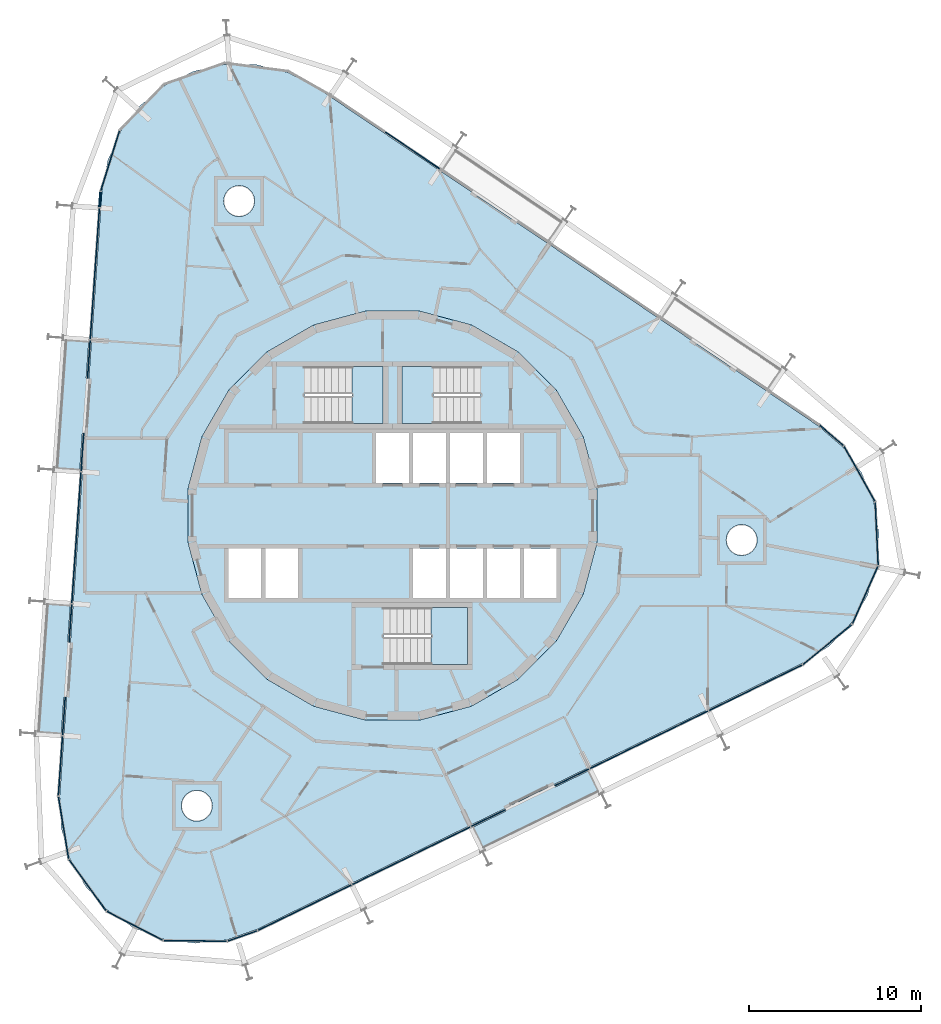
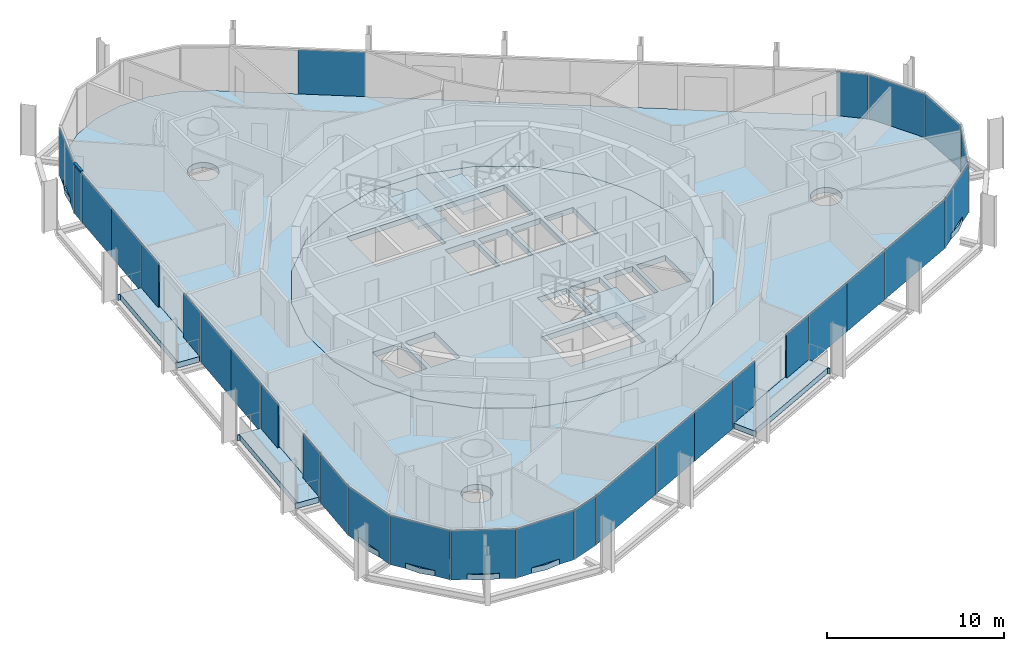
# One storey, part 10 of 17: 30 plates, 8 slabs, 1 member, 9 elements without a shape of their own.
"""IFC4 building model written with IfcOpenShell, lengths in metres."""

from ifc_helpers import new_model, si_unit, direction, frame, origin, origin_2d, place, context, subcontext, project, spatial, polyline, rectangle, outline, extrude, material, layer, layer_set, material_profile, profile_set, type_object, element, aggregate, save


model = new_model("IFC4")

# Units and contexts
model_context = context("Model", 3, precision=1e-05, world=origin(), true_north=direction((0.0, 1.0)))
body_context = subcontext(model_context, "Body", "Model", "MODEL_VIEW")
ifc_project = project(units=[si_unit("LENGTHUNIT", "METRE"), si_unit("AREAUNIT", "SQUARE_METRE"), si_unit("VOLUMEUNIT", "CUBIC_METRE"), si_unit("PLANEANGLEUNIT", "RADIAN"), si_unit("MASSUNIT", "GRAM", prefix="KILO")], contexts=[model_context])

# Site, building, storey
site_placement = place(None, origin())
site = spatial("IfcSite", under=ifc_project, at=site_placement, CompositionType="ELEMENT")
building_placement = place(site_placement, origin())
building = spatial("IfcBuilding", under=site, at=building_placement, Name="Spindle Arch Residences", CompositionType="ELEMENT")
storey_placement = place(building_placement, frame((0.0, 0.0, 212.89990234375)))
storey = spatial("IfcBuildingStorey", under=building, at=storey_placement, Name="L54", CompositionType="ELEMENT", Elevation=212.89990234375)

# Curtain wall, member
ifc_material_1 = material(Name="Aluminium bronze unitised frame with tinted glass", Category="aluminium")
ifc_layer_1 = layer(ifc_material_1, 0.159912109375)
ifc_layer_set_1 = layer_set([ifc_layer_1], Name="CW-D corner wall on the fillet arcs")
curtain_wall_type_1 = type_object("IfcCurtainWallType", Name="CW-D corner wall on the fillet arcs", PredefinedType="NOTDEFINED", material=ifc_layer_set_1)
curtain_wall_1_placement = place(storey_placement, origin())
curtain_wall_1 = element("IfcCurtainWall", 1, at=curtain_wall_1_placement, inside=storey, type_object=curtain_wall_type_1, Name="CW-D L54 run 3", PredefinedType="NOTDEFINED")
ifc_material_2 = material(Name="Aluminium bronze anodised transom", Category="aluminium")
ifc_material_profile = material_profile(ifc_material_2, rectangle(XDim=0.159912109375, YDim=0.1201171875, at=origin_2d()), Name="TR 120x160")
ifc_profile_set = profile_set([ifc_material_profile], Name="Aluminium bronze anodised transom")
member_type = type_object("IfcMemberType", Name="Bronze transom 120x160", PredefinedType="USERDEFINED", material=ifc_profile_set)
member_placement = place(storey_placement, frame((-16.98828125, 18.83447265625, 3.06005859375), z_axis=(-0.069692035463, -0.997568554132, 0.0), x_axis=(0.997568554132, -0.069692035463, 0.0)))
member = element("IfcMember", 2, at=member_placement, type_object=member_type, Name="CW-D transom 05", ObjectType="TRANSOM", PredefinedType="USERDEFINED", context=body_context, shape_type="SweptSolid", body=[
    extrude(rectangle(XDim=0.159912109375, YDim=0.1201171875, at=origin_2d()), origin(), (0.0, 0.0, 1.0), 0.90380859375),
])

# Slabs
ifc_material_3 = material(Name="Concrete C40/50", Category="concrete")
ifc_layer_2 = layer(ifc_material_3, 0.3798828125)
ifc_layer_set_2 = layer_set([ifc_layer_2], Name="Balcony slab 380")
slab_type_1 = type_object("IfcSlabType", Name="Balcony slab 380", PredefinedType="FLOOR", material=ifc_layer_set_2)
slab_1_placement = place(storey_placement, frame((0.0, 0.0, -0.3798828125)))
element("IfcSlab", 3, at=slab_1_placement, inside=storey, type_object=slab_type_1, Name="Balcony L54 bay 14", PredefinedType="FLOOR", context=body_context, shape_type="SweptSolid", body=[
    extrude(outline(polyline([(-19.16162109375, 10.2626953125), (-19.166748046875, 10.187744140625), (-19.01708984375, 10.17724609375), (-19.532958984375, 2.8017578125), (-19.6826171875, 2.81201171875), (-19.687744140625, 2.7373046875), (-18.201416015625, 2.63330078125), (-18.0498046875, 4.800048828125), (-17.890380859375, 4.788818359375), (-17.6669921875, 7.98095703125), (-17.82666015625, 7.9921875), (-17.67529296875, 10.15869140625), (-19.16162109375, 10.2626953125)])), origin(), (0.0, 0.0, 1.0), 0.3798828125),
])
slab_2_placement = place(storey_placement, frame((0.0, 0.0, -0.3798828125)))
element("IfcSlab", 4, at=slab_2_placement, inside=storey, type_object=slab_type_1, Name="Balcony L54 bay 16", PredefinedType="FLOOR", context=body_context, shape_type="SweptSolid", body=[
    extrude(outline(polyline([(-20.23486328125, -5.08740234375), (-20.240234375, -5.162109375), (-20.090576171875, -5.172607421875), (-20.606201171875, -12.54833984375), (-20.755859375, -12.537841796875), (-20.76123046875, -12.612548828125), (-19.274658203125, -12.716552734375), (-19.123291015625, -10.550048828125), (-18.963623046875, -10.561279296875), (-18.740478515625, -7.368896484375), (-18.900146484375, -7.35791015625), (-18.74853515625, -5.191162109375), (-20.23486328125, -5.08740234375)])), origin(), (0.0, 0.0, 1.0), 0.3798828125),
])
slab_3_placement = place(storey_placement, frame((0.0, 0.0, -0.3798828125)))
element("IfcSlab", 5, at=slab_3_placement, inside=storey, type_object=slab_type_1, Name="Balcony L54 bay 22", PredefinedType="FLOOR", context=body_context, shape_type="SweptSolid", body=[
    extrude(outline(polyline([(5.30322265625, -19.477294921875), (5.37060546875, -19.4443359375), (5.3046875, -19.3095703125), (11.9501953125, -16.068359375), (12.015869140625, -16.203125), (12.083251953125, -16.17041015625), (11.43017578125, -14.8310546875), (9.47802734375, -15.783203125), (9.407958984375, -15.639404296875), (6.53173828125, -17.042236328125), (6.60205078125, -17.18603515625), (4.64990234375, -18.137939453125), (5.30322265625, -19.477294921875)])), origin(), (0.0, 0.0, 1.0), 0.3798828125),
])
ifc_material_4 = material(Name="Concrete C50/60", Category="concrete")
ifc_layer_3 = layer(ifc_material_4, 0.3798828125)
ifc_layer_set_3 = layer_set([ifc_layer_3], Name="Core floor slab 380")
slab_type_2 = type_object("IfcSlabType", Name="Core floor slab 380", PredefinedType="FLOOR", material=ifc_layer_set_3)
slab_4_placement = place(storey_placement, frame((0.0, 0.0, -0.3798828125)))
element("IfcSlab", 6, at=slab_4_placement, inside=storey, type_object=slab_type_2, Name="Core floor L54", PredefinedType="FLOOR", context=body_context, shape_type="SweptSolid", body=[
    extrude(outline(polyline([(1.56640625, -11.897216796875), (4.59228515625, -11.086669921875), (7.30517578125, -9.520263671875), (9.520263671875, -7.30517578125), (11.086669921875, -4.59228515625), (11.897216796875, -1.56640625), (11.897216796875, 1.56640625), (11.086669921875, 4.59228515625), (9.520263671875, 7.30517578125), (7.30517578125, 9.520263671875), (4.59228515625, 11.086669921875), (1.56640625, 11.897216796875), (-1.56640625, 11.897216796875), (-4.59228515625, 11.086669921875), (-7.30517578125, 9.520263671875), (-9.520263671875, 7.30517578125), (-11.086669921875, 4.59228515625), (-11.897216796875, 1.56640625), (-11.897216796875, -1.56640625), (-11.086669921875, -4.59228515625), (-9.520263671875, -7.30517578125), (-7.30517578125, -9.520263671875), (-4.59228515625, -11.086669921875), (-1.56640625, -11.897216796875), (1.56640625, -11.897216796875)]), holes=[polyline([(-0.949951171875, 1.89990234375), (0.949951171875, 1.89990234375), (0.949951171875, 4.800048828125), (-0.949951171875, 4.800048828125), (-0.949951171875, 1.89990234375)]), polyline([(1.199951171875, 1.89990234375), (3.10009765625, 1.89990234375), (3.10009765625, 4.800048828125), (1.199951171875, 4.800048828125), (1.199951171875, 1.89990234375)]), polyline([(3.35009765625, 1.89990234375), (5.25, 1.89990234375), (5.25, 4.800048828125), (3.35009765625, 4.800048828125), (3.35009765625, 1.89990234375)]), polyline([(5.5, 1.89990234375), (7.39990234375, 1.89990234375), (7.39990234375, 4.800048828125), (5.5, 4.800048828125), (5.5, 1.89990234375)]), polyline([(-9.550048828125, -4.800048828125), (-7.64990234375, -4.800048828125), (-7.64990234375, -1.89990234375), (-9.550048828125, -1.89990234375), (-9.550048828125, -4.800048828125)]), polyline([(-7.39990234375, -4.800048828125), (-5.5, -4.800048828125), (-5.5, -1.89990234375), (-7.39990234375, -1.89990234375), (-7.39990234375, -4.800048828125)]), polyline([(1.199951171875, -4.800048828125), (3.10009765625, -4.800048828125), (3.10009765625, -1.89990234375), (1.199951171875, -1.89990234375), (1.199951171875, -4.800048828125)]), polyline([(3.35009765625, -4.800048828125), (5.25, -4.800048828125), (5.25, -1.89990234375), (3.35009765625, -1.89990234375), (3.35009765625, -4.800048828125)]), polyline([(5.5, -4.800048828125), (7.39990234375, -4.800048828125), (7.39990234375, -1.89990234375), (5.5, -1.89990234375), (5.5, -4.800048828125)]), polyline([(7.64990234375, -4.800048828125), (9.550048828125, -4.800048828125), (9.550048828125, -1.89990234375), (7.64990234375, -1.89990234375), (7.64990234375, -4.800048828125)]), polyline([(5.1298828125, 8.669921875), (0.550048828125, 8.669921875), (0.550048828125, 5.35009765625), (5.1298828125, 5.35009765625), (5.1298828125, 8.669921875)]), polyline([(-5.1298828125, 5.35009765625), (-0.550048828125, 5.35009765625), (-0.550048828125, 8.669921875), (-5.1298828125, 8.669921875), (-5.1298828125, 5.35009765625)]), polyline([(-0.530029296875, -8.669921875), (4.35009765625, -8.669921875), (4.35009765625, -5.35009765625), (-0.530029296875, -5.35009765625), (-0.530029296875, -8.669921875)])]), origin(), (0.0, 0.0, 1.0), 0.3798828125),
])

# Stair, slab
ifc_material_5 = material(Name="Concrete C50/60", Category="concrete")
stair_type = type_object("IfcStairType", Name="Exit stair 16 risers", PredefinedType="HALF_TURN_STAIR", material=ifc_material_5)
stair_1_placement = place(storey_placement, origin())
stair_1 = element("IfcStair", 7, at=stair_1_placement, inside=storey, type_object=stair_type, Name="L54 Exit stair ST1", PredefinedType="HALF_TURN_STAIR")
ifc_material_6 = material(Name="Concrete C50/60", Category="concrete")
ifc_layer_4 = layer(ifc_material_6, 0.219970703125)
ifc_layer_set_4 = layer_set([ifc_layer_4], Name="Exit stair landing 220")
slab_type_3 = type_object("IfcSlabType", Name="Exit stair landing 220", PredefinedType="LANDING", material=ifc_layer_set_4)
slab_5_placement = place(storey_placement, frame((0.0, 0.0, 1.530029296875)))
slab_5 = element("IfcSlab", 8, at=slab_5_placement, type_object=slab_type_3, Name="ST1 landing 1", PredefinedType="LANDING", context=body_context, shape_type="SweptSolid", body=[
    extrude(outline(polyline([(2.3701171875, 8.669921875), (0.550048828125, 8.669921875), (0.550048828125, 5.35009765625), (2.3701171875, 5.35009765625), (2.3701171875, 8.669921875)])), origin(), (0.0, 0.0, 1.0), 0.219970703125),
])
aggregate(stair_1, [slab_5])

stair_2_placement = place(storey_placement, origin())
stair_2 = element("IfcStair", 9, at=stair_2_placement, inside=storey, type_object=stair_type, Name="L54 Exit stair ST2", PredefinedType="HALF_TURN_STAIR")
slab_6_placement = place(storey_placement, frame((0.0, 0.0, 1.530029296875)))
slab_6 = element("IfcSlab", 10, at=slab_6_placement, type_object=slab_type_3, Name="ST2 landing 1", PredefinedType="LANDING", context=body_context, shape_type="SweptSolid", body=[
    extrude(outline(polyline([(-2.3701171875, 5.35009765625), (-0.550048828125, 5.35009765625), (-0.550048828125, 8.669921875), (-2.3701171875, 8.669921875), (-2.3701171875, 5.35009765625)])), origin(), (0.0, 0.0, 1.0), 0.219970703125),
])
aggregate(stair_2, [slab_6])

stair_3_placement = place(storey_placement, origin())
stair_3 = element("IfcStair", 11, at=stair_3_placement, inside=storey, type_object=stair_type, Name="L54 Exit stair ST3", PredefinedType="HALF_TURN_STAIR")
slab_7_placement = place(storey_placement, frame((0.0, 0.0, 1.530029296875)))
slab_7 = element("IfcSlab", 12, at=slab_7_placement, type_object=slab_type_3, Name="ST3 landing 1", PredefinedType="LANDING", context=body_context, shape_type="SweptSolid", body=[
    extrude(outline(polyline([(2.22998046875, -8.669921875), (4.35009765625, -8.669921875), (4.35009765625, -5.35009765625), (2.22998046875, -5.35009765625), (2.22998046875, -8.669921875)])), origin(), (0.0, 0.0, 1.0), 0.219970703125),
])
aggregate(stair_3, [slab_7])

# Slab
ifc_material_7 = material(Name="Concrete C40/50", Category="concrete")
ifc_layer_5 = layer(ifc_material_7, 0.3798828125)
ifc_layer_set_5 = layer_set([ifc_layer_5], Name="Floor slab 380")
slab_type_4 = type_object("IfcSlabType", Name="Floor slab 380", PredefinedType="FLOOR", material=ifc_layer_set_5)
slab_8_placement = place(storey_placement, frame((0.0, 0.0, -0.3798828125)))
element("IfcSlab", 13, at=slab_8_placement, inside=storey, type_object=slab_type_4, Name="Floor slab L54", PredefinedType="FLOOR", context=body_context, shape_type="SweptSolid", body=[
    extrude(outline(polyline([(-9.6318359375, -24.685791015625), (-11.47900390625, -24.8798828125), (-13.3212890625, -24.642822265625), (-15.059326171875, -23.9873046875), (-16.599365234375, -22.948486328125), (-17.858154296875, -21.582763671875), (-18.76806640625, -19.96337890625), (-19.280029296875, -18.177978515625), (-19.366455078125, -16.322509765625), (-16.906494140625, 18.85888671875), (-16.5625, 20.684326171875), (-15.80712890625, 22.381103515625), (-14.6806640625, 23.858154296875), (-13.243896484375, 25.035400390625), (-11.574462890625, 25.849609375), (-9.76220703125, 26.257080078125), (-7.90478515625, 26.2353515625), (-6.1025390625, 25.785888671875), (-4.452392578125, 24.93310546875), (24.785400390625, 5.2119140625), (26.1943359375, 4.00146484375), (27.2861328125, 2.498779296875), (28.001953125, 0.784912109375), (28.30322265625, -1.048095703125), (28.173583984375, -2.901123046875), (27.620361328125, -4.67431640625), (26.6728515625, -6.27197265625), (25.382568359375, -7.608154296875), (23.81884765625, -8.610595703125), (7.969970703125, -16.3408203125), (-7.87890625, -24.07080078125), (-9.6318359375, -24.685791015625)]), holes=[polyline([(7.30517578125, -9.520263671875), (9.520263671875, -7.30517578125), (11.086669921875, -4.59228515625), (11.897216796875, -1.56640625), (11.897216796875, 1.56640625), (11.086669921875, 4.59228515625), (9.520263671875, 7.30517578125), (7.30517578125, 9.520263671875), (4.59228515625, 11.086669921875), (1.56640625, 11.897216796875), (-1.56640625, 11.897216796875), (-4.59228515625, 11.086669921875), (-7.30517578125, 9.520263671875), (-9.520263671875, 7.30517578125), (-11.086669921875, 4.59228515625), (-11.897216796875, 1.56640625), (-11.897216796875, -1.56640625), (-11.086669921875, -4.59228515625), (-9.520263671875, -7.30517578125), (-7.30517578125, -9.520263671875), (-4.59228515625, -11.086669921875), (-1.56640625, -11.897216796875), (1.56640625, -11.897216796875), (4.59228515625, -11.086669921875), (7.30517578125, -9.520263671875)]), polyline([(-10.6376953125, -17.380615234375), (-10.554443359375, -17.224853515625), (-10.50341796875, -17.05615234375), (-10.486083984375, -16.880615234375), (-10.50341796875, -16.704833984375), (-10.554443359375, -16.5361328125), (-10.6376953125, -16.380615234375), (-10.74951171875, -16.244140625), (-10.885986328125, -16.132080078125), (-11.04150390625, -16.049072265625), (-11.21044921875, -15.997802734375), (-11.385986328125, -15.98046875), (-11.5615234375, -15.997802734375), (-11.73046875, -16.049072265625), (-11.885986328125, -16.132080078125), (-12.0224609375, -16.244140625), (-12.13427734375, -16.380615234375), (-12.217529296875, -16.5361328125), (-12.268798828125, -16.704833984375), (-12.285888671875, -16.880615234375), (-12.268798828125, -17.05615234375), (-12.217529296875, -17.224853515625), (-12.13427734375, -17.380615234375), (-12.0224609375, -17.516845703125), (-11.885986328125, -17.62890625), (-11.73046875, -17.7119140625), (-11.5615234375, -17.76318359375), (-11.385986328125, -17.780517578125), (-11.21044921875, -17.76318359375), (-11.04150390625, -17.7119140625), (-10.885986328125, -17.62890625), (-10.74951171875, -17.516845703125), (-10.6376953125, -17.380615234375)]), polyline([(-8.177490234375, 17.80078125), (-8.094482421875, 17.956298828125), (-8.043212890625, 18.125244140625), (-8.02587890625, 18.30078125), (-8.043212890625, 18.476318359375), (-8.094482421875, 18.645263671875), (-8.177490234375, 18.80078125), (-8.28955078125, 18.937255859375), (-8.42578125, 19.049072265625), (-8.58154296875, 19.13232421875), (-8.750244140625, 19.18359375), (-8.92578125, 19.20068359375), (-9.1015625, 19.18359375), (-9.270263671875, 19.13232421875), (-9.42578125, 19.049072265625), (-9.562255859375, 18.937255859375), (-9.67431640625, 18.80078125), (-9.75732421875, 18.645263671875), (-9.80859375, 18.476318359375), (-9.825927734375, 18.30078125), (-9.80859375, 18.125244140625), (-9.75732421875, 17.956298828125), (-9.67431640625, 17.80078125), (-9.562255859375, 17.664306640625), (-9.42578125, 17.552490234375), (-9.270263671875, 17.46923828125), (-9.1015625, 17.418212890625), (-8.92578125, 17.40087890625), (-8.750244140625, 17.418212890625), (-8.58154296875, 17.46923828125), (-8.42578125, 17.552490234375), (-8.28955078125, 17.664306640625), (-8.177490234375, 17.80078125)]), polyline([(20.9482421875, -2.056640625), (21.060302734375, -1.92041015625), (21.143310546875, -1.7646484375), (21.194580078125, -1.595947265625), (21.2119140625, -1.42041015625), (21.194580078125, -1.24462890625), (21.143310546875, -1.075927734375), (21.060302734375, -0.92041015625), (20.9482421875, -0.783935546875), (20.81201171875, -0.672119140625), (20.65625, -0.5888671875), (20.487548828125, -0.53759765625), (20.31201171875, -0.520263671875), (20.13623046875, -0.53759765625), (19.967529296875, -0.5888671875), (19.81201171875, -0.672119140625), (19.675537109375, -0.783935546875), (19.563720703125, -0.92041015625), (19.48046875, -1.075927734375), (19.42919921875, -1.24462890625), (19.411865234375, -1.42041015625), (19.42919921875, -1.595947265625), (19.48046875, -1.7646484375), (19.563720703125, -1.92041015625), (19.675537109375, -2.056640625), (19.81201171875, -2.168701171875), (19.967529296875, -2.251708984375), (20.13623046875, -2.302978515625), (20.31201171875, -2.3203125), (20.487548828125, -2.302978515625), (20.65625, -2.251708984375), (20.81201171875, -2.168701171875), (20.9482421875, -2.056640625)])]), origin(), (0.0, 0.0, 1.0), 0.3798828125),
])

# Curtain wall, plates
curtain_wall_2_placement = place(storey_placement, origin())
curtain_wall_2 = element("IfcCurtainWall", 14, at=curtain_wall_2_placement, inside=storey, type_object=curtain_wall_type_1, Name="CW-D L54 run 1", PredefinedType="NOTDEFINED")
ifc_material_8 = material(Name="Tinted double glazing over aluminium faced non-combustible spandrel zone (K0)", Category="aluminium")
ifc_layer_6 = layer(ifc_material_8, 0.06005859375)
ifc_layer_set_6 = layer_set([ifc_layer_6], Name="Unitised glass panel with E 60 spandrel zone")
plate_type = type_object("IfcPlateType", Name="Unitised glass panel with E 60 spandrel zone", PredefinedType="CURTAIN_PANEL", material=ifc_layer_set_6)
plate_1_placement = place(storey_placement, frame((21.11572265625, -10.01806640625, -0.3798828125), z_axis=(0.0, 0.0, 1.0), x_axis=(0.898794046299, 0.438371146789, 0.0)))
plate_1 = element("IfcPlate", 15, at=plate_1_placement, type_object=plate_type, Name="CW-D unit 00", PredefinedType="CURTAIN_PANEL", context=body_context, shape_type="SweptSolid", body=[
    extrude(rectangle(XDim=6.032958984375, YDim=0.06005859375, at=origin_2d()), origin(), (0.0, 0.0, 1.0), 3.3798828125),
])
plate_2_placement = place(storey_placement, frame((25.295166015625, -7.50146484375, -0.3798828125), z_axis=(0.0, 0.0, 1.0), x_axis=(0.773471595747, 0.633830963722, 0.0)))
plate_2 = element("IfcPlate", 16, at=plate_2_placement, type_object=plate_type, Name="CW-D unit 01", PredefinedType="CURTAIN_PANEL", context=body_context, shape_type="SweptSolid", body=[
    extrude(rectangle(XDim=3.666748046875, YDim=0.06005859375, at=origin_2d()), origin(), (0.0, 0.0, 1.0), 3.3798828125),
])
plate_3_placement = place(storey_placement, frame((27.494384765625, -4.6181640625, -0.3798828125), z_axis=(0.0, 0.0, 1.0), x_axis=(0.406736642422, 0.913545457934, 0.0)))
plate_3 = element("IfcPlate", 17, at=plate_3_placement, type_object=plate_type, Name="CW-D unit 02", PredefinedType="CURTAIN_PANEL", context=body_context, shape_type="SweptSolid", body=[
    extrude(rectangle(XDim=3.666748046875, YDim=0.06005859375, at=origin_2d()), origin(), (0.0, 0.0, 1.0), 3.3798828125),
])
plate_4_placement = place(storey_placement, frame((28.16552734375, -1.054443359375, -0.3798828125), z_axis=(0.0, 0.0, 1.0), x_axis=(-0.046525313877, 0.99891711126, 0.0)))
plate_4 = element("IfcPlate", 18, at=plate_4_placement, type_object=plate_type, Name="CW-D unit 03", PredefinedType="CURTAIN_PANEL", context=body_context, shape_type="SweptSolid", body=[
    extrude(rectangle(XDim=3.666748046875, YDim=0.06005859375, at=origin_2d()), origin(), (0.0, 0.0, 1.0), 3.3798828125),
])
plate_5_placement = place(storey_placement, frame((27.166015625, 2.43115234375, -0.3798828125), z_axis=(0.0, 0.0, 1.0), x_axis=(-0.489889716377, 0.871784414743, 0.0)))
plate_5 = element("IfcPlate", 19, at=plate_5_placement, type_object=plate_type, Name="CW-D unit 04", PredefinedType="CURTAIN_PANEL", context=body_context, shape_type="SweptSolid", body=[
    extrude(rectangle(XDim=3.666748046875, YDim=0.06005859375, at=origin_2d()), origin(), (0.0, 0.0, 1.0), 3.3798828125),
])
plate_6_placement = place(storey_placement, frame((25.541748046875, 4.6669921875, -0.3798828125), z_axis=(0.0, 0.0, 1.0), x_axis=(-0.758513582867, 0.651657229382, 0.0)))
plate_6 = element("IfcPlate", 20, at=plate_6_placement, type_object=plate_type, Name="CW-D unit 05", PredefinedType="CURTAIN_PANEL", context=body_context, shape_type="SweptSolid", body=[
    extrude(rectangle(XDim=1.816162109375, YDim=0.06005859375, at=origin_2d()), origin(), (0.0, 0.0, 1.0), 3.3798828125),
])
aggregate(curtain_wall_2, [plate_1, plate_2, plate_3, plate_4, plate_5, plate_6])

# Curtain wall, plate
ifc_material_9 = material(Name="Aluminium bronze unitised frame with tinted glass", Category="aluminium")
ifc_layer_7 = layer(ifc_material_9, 0.159912109375)
ifc_layer_set_7 = layer_set([ifc_layer_7], Name="CW-C typical residential unitised wall")
curtain_wall_type_2 = type_object("IfcCurtainWallType", Name="CW-C typical residential unitised wall", PredefinedType="NOTDEFINED", material=ifc_layer_set_7)
curtain_wall_3_placement = place(storey_placement, origin())
curtain_wall_3 = element("IfcCurtainWall", 21, at=curtain_wall_3_placement, inside=storey, type_object=curtain_wall_type_2, Name="CW-C L54 run 2", PredefinedType="NOTDEFINED")
plate_7_placement = place(storey_placement, frame((1.162841796875, 21.2421875, -0.3798828125), z_axis=(0.0, 0.0, 1.0), x_axis=(-0.829037572555, 0.559192903471, 0.0)))
plate_7 = element("IfcPlate", 22, at=plate_7_placement, type_object=plate_type, Name="CW-C unit 08A", PredefinedType="CURTAIN_PANEL", context=body_context, shape_type="SweptSolid", body=[
    extrude(rectangle(XDim=3.81689453125, YDim=0.06005859375, at=origin_2d()), origin(), (0.0, 0.0, 1.0), 3.3798828125),
])
aggregate(curtain_wall_3, [plate_7])

# Plate
plate_8_placement = place(storey_placement, frame((-16.43115234375, 20.643310546875, -0.3798828125), z_axis=(0.0, 0.0, 1.0), x_axis=(-0.297930275218, -0.954587634064, 0.0)))
plate_8 = element("IfcPlate", 23, at=plate_8_placement, type_object=plate_type, Name="CW-D unit 04", PredefinedType="CURTAIN_PANEL", context=body_context, shape_type="SweptSolid", body=[
    extrude(rectangle(XDim=3.666748046875, YDim=0.06005859375, at=origin_2d()), origin(), (0.0, 0.0, 1.0), 3.3798828125),
])

plate_9_placement = place(storey_placement, frame((-17.019775390625, 18.3837890625, -0.3798828125), z_axis=(0.0, 0.0, 1.0), x_axis=(-0.069756473744, -0.99756405026, 0.0)))
plate_9 = element("IfcPlate", 24, at=plate_9_placement, type_object=plate_type, Name="CW-D unit 05", PredefinedType="CURTAIN_PANEL", context=body_context, shape_type="SweptSolid", body=[
    extrude(rectangle(XDim=0.90380859375, YDim=0.06005859375, at=origin_2d()), origin(), (0.0, 0.0, 1.0), 3.3798828125),
])

aggregate(curtain_wall_1, [plate_8, member, plate_9])

# Curtain wall, plates
curtain_wall_4_placement = place(storey_placement, origin())
curtain_wall_4 = element("IfcCurtainWall", 25, at=curtain_wall_4_placement, inside=storey, type_object=curtain_wall_type_2, Name="CW-C L54 run 4", PredefinedType="NOTDEFINED")
plate_10_placement = place(storey_placement, frame((-17.188720703125, 15.96923828125, -0.3798828125), z_axis=(0.0, 0.0, 1.0), x_axis=(-0.069756473744, -0.99756405026, 0.0)))
plate_10 = element("IfcPlate", 26, at=plate_10_placement, type_object=plate_type, Name="CW-C unit 12A", PredefinedType="CURTAIN_PANEL", context=body_context, shape_type="SweptSolid", body=[
    extrude(rectangle(XDim=3.81689453125, YDim=0.06005859375, at=origin_2d()), origin(), (0.0, 0.0, 1.0), 3.3798828125),
])
plate_11_placement = place(storey_placement, frame((-17.454833984375, 12.16162109375, -0.3798828125), z_axis=(0.0, 0.0, 1.0), x_axis=(-0.069756473744, -0.99756405026, 0.0)))
plate_11 = element("IfcPlate", 27, at=plate_11_placement, type_object=plate_type, Name="CW-C unit 12B", PredefinedType="CURTAIN_PANEL", context=body_context, shape_type="SweptSolid", body=[
    extrude(rectangle(XDim=3.81689453125, YDim=0.06005859375, at=origin_2d()), origin(), (0.0, 0.0, 1.0), 3.3798828125),
])
plate_12_placement = place(storey_placement, frame((-17.669677734375, 9.09228515625, -0.3798828125), z_axis=(0.0, 0.0, 1.0), x_axis=(-0.069756473744, -0.99756405026, 0.0)))
plate_12 = element("IfcPlate", 28, at=plate_12_placement, type_object=plate_type, Name="CW-C unit 13L", PredefinedType="CURTAIN_PANEL", context=body_context, shape_type="SweptSolid", body=[
    extrude(rectangle(XDim=2.216796875, YDim=0.06005859375, at=origin_2d()), origin(), (0.0, 0.0, 1.0), 3.3798828125),
])
plate_13_placement = place(storey_placement, frame((-18.04736328125, 3.688720703125, -0.3798828125), z_axis=(0.0, 0.0, 1.0), x_axis=(-0.069756473744, -0.99756405026, 0.0)))
plate_13 = element("IfcPlate", 29, at=plate_13_placement, type_object=plate_type, Name="CW-C unit 13R", PredefinedType="CURTAIN_PANEL", context=body_context, shape_type="SweptSolid", body=[
    extrude(rectangle(XDim=2.216796875, YDim=0.06005859375, at=origin_2d()), origin(), (0.0, 0.0, 1.0), 3.3798828125),
])
plate_14_placement = place(storey_placement, frame((-18.261962890625, 0.619140625, -0.3798828125), z_axis=(0.0, 0.0, 1.0), x_axis=(-0.069756473744, -0.99756405026, 0.0)))
plate_14 = element("IfcPlate", 30, at=plate_14_placement, type_object=plate_type, Name="CW-C unit 14A", PredefinedType="CURTAIN_PANEL", context=body_context, shape_type="SweptSolid", body=[
    extrude(rectangle(XDim=3.81689453125, YDim=0.06005859375, at=origin_2d()), origin(), (0.0, 0.0, 1.0), 3.3798828125),
])
plate_15_placement = place(storey_placement, frame((-18.5283203125, -3.188232421875, -0.3798828125), z_axis=(0.0, 0.0, 1.0), x_axis=(-0.069756473744, -0.99756405026, 0.0)))
plate_15 = element("IfcPlate", 31, at=plate_15_placement, type_object=plate_type, Name="CW-C unit 14B", PredefinedType="CURTAIN_PANEL", context=body_context, shape_type="SweptSolid", body=[
    extrude(rectangle(XDim=3.81689453125, YDim=0.06005859375, at=origin_2d()), origin(), (0.0, 0.0, 1.0), 3.3798828125),
])
plate_16_placement = place(storey_placement, frame((-18.742919921875, -6.257568359375, -0.3798828125), z_axis=(0.0, 0.0, 1.0), x_axis=(-0.069756473744, -0.99756405026, 0.0)))
plate_16 = element("IfcPlate", 32, at=plate_16_placement, type_object=plate_type, Name="CW-C unit 15L", PredefinedType="CURTAIN_PANEL", context=body_context, shape_type="SweptSolid", body=[
    extrude(rectangle(XDim=2.216796875, YDim=0.06005859375, at=origin_2d()), origin(), (0.0, 0.0, 1.0), 3.3798828125),
])
plate_17_placement = place(storey_placement, frame((-19.120849609375, -11.661376953125, -0.3798828125), z_axis=(0.0, 0.0, 1.0), x_axis=(-0.069756473744, -0.99756405026, 0.0)))
plate_17 = element("IfcPlate", 33, at=plate_17_placement, type_object=plate_type, Name="CW-C unit 15R", PredefinedType="CURTAIN_PANEL", context=body_context, shape_type="SweptSolid", body=[
    extrude(rectangle(XDim=2.216796875, YDim=0.06005859375, at=origin_2d()), origin(), (0.0, 0.0, 1.0), 3.3798828125),
])
aggregate(curtain_wall_4, [plate_10, plate_11, plate_12, plate_13, plate_14, plate_15, plate_16, plate_17])

curtain_wall_5_placement = place(storey_placement, origin())
curtain_wall_5 = element("IfcCurtainWall", 34, at=curtain_wall_5_placement, inside=storey, type_object=curtain_wall_type_1, Name="CW-D L54 run 5", PredefinedType="NOTDEFINED")
plate_18_placement = place(storey_placement, frame((-19.3232421875, -14.556884765625, -0.3798828125), z_axis=(0.0, 0.0, 1.0), x_axis=(-0.069756473744, -0.99756405026, 0.0)))
plate_18 = element("IfcPlate", 35, at=plate_18_placement, type_object=plate_type, Name="CW-D unit 00", PredefinedType="CURTAIN_PANEL", context=body_context, shape_type="SweptSolid", body=[
    extrude(rectangle(XDim=3.468505859375, YDim=0.06005859375, at=origin_2d()), origin(), (0.0, 0.0, 1.0), 3.3798828125),
])
plate_19_placement = place(storey_placement, frame((-19.14404296875, -18.155517578125, -0.3798828125), z_axis=(0.0, 0.0, 1.0), x_axis=(0.162177925821, -0.986761531666, 0.0)))
plate_19 = element("IfcPlate", 36, at=plate_19_placement, type_object=plate_type, Name="CW-D unit 01", PredefinedType="CURTAIN_PANEL", context=body_context, shape_type="SweptSolid", body=[
    extrude(rectangle(XDim=3.666748046875, YDim=0.06005859375, at=origin_2d()), origin(), (0.0, 0.0, 1.0), 3.3798828125),
])
plate_20_placement = place(storey_placement, frame((-17.74658203125, -21.501708984375, -0.3798828125), z_axis=(0.0, 0.0, 1.0), x_axis=(0.587785254679, -0.809016992641, 0.0)))
plate_20 = element("IfcPlate", 37, at=plate_20_placement, type_object=plate_type, Name="CW-D unit 02", PredefinedType="CURTAIN_PANEL", context=body_context, shape_type="SweptSolid", body=[
    extrude(rectangle(XDim=3.666748046875, YDim=0.06005859375, at=origin_2d()), origin(), (0.0, 0.0, 1.0), 3.3798828125),
])
plate_21_placement = place(storey_placement, frame((-14.99609375, -23.86474609375, -0.3798828125), z_axis=(0.0, 0.0, 1.0), x_axis=(0.88835025098, -0.459166453025, 0.0)))
plate_21 = element("IfcPlate", 38, at=plate_21_placement, type_object=plate_type, Name="CW-D unit 03", PredefinedType="CURTAIN_PANEL", context=body_context, shape_type="SweptSolid", body=[
    extrude(rectangle(XDim=3.666748046875, YDim=0.06005859375, at=origin_2d()), origin(), (0.0, 0.0, 1.0), 3.3798828125),
])
plate_22_placement = place(storey_placement, frame((-11.4775390625, -24.7421875, -0.3798828125), z_axis=(0.0, 0.0, 1.0), x_axis=(0.999932308032, -0.011635263346, 0.0)))
plate_22 = element("IfcPlate", 39, at=plate_22_placement, type_object=plate_type, Name="CW-D unit 04", PredefinedType="CURTAIN_PANEL", context=body_context, shape_type="SweptSolid", body=[
    extrude(rectangle(XDim=3.666748046875, YDim=0.06005859375, at=origin_2d()), origin(), (0.0, 0.0, 1.0), 3.3798828125),
])
plate_23_placement = place(storey_placement, frame((-8.72900390625, -24.453369140625, -0.3798828125), z_axis=(0.0, 0.0, 1.0), x_axis=(0.943608504957, 0.33106342198, 0.0)))
plate_23 = element("IfcPlate", 40, at=plate_23_placement, type_object=plate_type, Name="CW-D unit 05", PredefinedType="CURTAIN_PANEL", context=body_context, shape_type="SweptSolid", body=[
    extrude(rectangle(XDim=1.816162109375, YDim=0.06005859375, at=origin_2d()), origin(), (0.0, 0.0, 1.0), 3.3798828125),
])
plate_24_placement = place(storey_placement, frame((-5.105712890625, -22.80712890625, -0.3798828125), z_axis=(0.0, 0.0, 1.0), x_axis=(0.898794046299, 0.438371146789, 0.0)))
plate_24 = element("IfcPlate", 41, at=plate_24_placement, type_object=plate_type, Name="CW-D unit 06", PredefinedType="CURTAIN_PANEL", context=body_context, shape_type="SweptSolid", body=[
    extrude(rectangle(XDim=6.032958984375, YDim=0.06005859375, at=origin_2d()), origin(), (0.0, 0.0, 1.0), 3.3798828125),
])
aggregate(curtain_wall_5, [plate_18, plate_19, plate_20, plate_21, plate_22, plate_23, plate_24])

curtain_wall_6_placement = place(storey_placement, origin())
curtain_wall_6 = element("IfcCurtainWall", 42, at=curtain_wall_6_placement, inside=storey, type_object=curtain_wall_type_2, Name="CW-C L54 run 6", PredefinedType="NOTDEFINED")
plate_25_placement = place(storey_placement, frame((-0.625244140625, -20.6220703125, -0.3798828125), z_axis=(0.0, 0.0, 1.0), x_axis=(0.898794046299, 0.438371146789, 0.0)))
plate_25 = element("IfcPlate", 43, at=plate_25_placement, type_object=plate_type, Name="CW-C unit 20A", PredefinedType="CURTAIN_PANEL", context=body_context, shape_type="SweptSolid", body=[
    extrude(rectangle(XDim=3.81689453125, YDim=0.06005859375, at=origin_2d()), origin(), (0.0, 0.0, 1.0), 3.3798828125),
])
plate_26_placement = place(storey_placement, frame((2.80517578125, -18.94873046875, -0.3798828125), z_axis=(0.0, 0.0, 1.0), x_axis=(0.898794046299, 0.438371146789, 0.0)))
plate_26 = element("IfcPlate", 44, at=plate_26_placement, type_object=plate_type, Name="CW-C unit 20B", PredefinedType="CURTAIN_PANEL", context=body_context, shape_type="SweptSolid", body=[
    extrude(rectangle(XDim=3.81689453125, YDim=0.06005859375, at=origin_2d()), origin(), (0.0, 0.0, 1.0), 3.3798828125),
])
plate_27_placement = place(storey_placement, frame((5.570556640625, -17.599853515625, -0.3798828125), z_axis=(0.0, 0.0, 1.0), x_axis=(0.898794046299, 0.438371146789, 0.0)))
plate_27 = element("IfcPlate", 45, at=plate_27_placement, type_object=plate_type, Name="CW-C unit 21L", PredefinedType="CURTAIN_PANEL", context=body_context, shape_type="SweptSolid", body=[
    extrude(rectangle(XDim=2.216796875, YDim=0.06005859375, at=origin_2d()), origin(), (0.0, 0.0, 1.0), 3.3798828125),
])
plate_28_placement = place(storey_placement, frame((10.439208984375, -15.225341796875, -0.3798828125), z_axis=(0.0, 0.0, 1.0), x_axis=(0.898794046299, 0.438371146789, 0.0)))
plate_28 = element("IfcPlate", 46, at=plate_28_placement, type_object=plate_type, Name="CW-C unit 21R", PredefinedType="CURTAIN_PANEL", context=body_context, shape_type="SweptSolid", body=[
    extrude(rectangle(XDim=2.216796875, YDim=0.06005859375, at=origin_2d()), origin(), (0.0, 0.0, 1.0), 3.3798828125),
])
plate_29_placement = place(storey_placement, frame((13.204833984375, -13.87646484375, -0.3798828125), z_axis=(0.0, 0.0, 1.0), x_axis=(0.898794046299, 0.438371146789, 0.0)))
plate_29 = element("IfcPlate", 47, at=plate_29_placement, type_object=plate_type, Name="CW-C unit 00A", PredefinedType="CURTAIN_PANEL", context=body_context, shape_type="SweptSolid", body=[
    extrude(rectangle(XDim=3.81689453125, YDim=0.06005859375, at=origin_2d()), origin(), (0.0, 0.0, 1.0), 3.3798828125),
])
plate_30_placement = place(storey_placement, frame((16.63525390625, -12.203369140625, -0.3798828125), z_axis=(0.0, 0.0, 1.0), x_axis=(0.898794046299, 0.438371146789, 0.0)))
plate_30 = element("IfcPlate", 48, at=plate_30_placement, type_object=plate_type, Name="CW-C unit 00B", PredefinedType="CURTAIN_PANEL", context=body_context, shape_type="SweptSolid", body=[
    extrude(rectangle(XDim=3.81689453125, YDim=0.06005859375, at=origin_2d()), origin(), (0.0, 0.0, 1.0), 3.3798828125),
])
aggregate(curtain_wall_6, [plate_25, plate_26, plate_27, plate_28, plate_29, plate_30])

save(model, "model.ifc")
